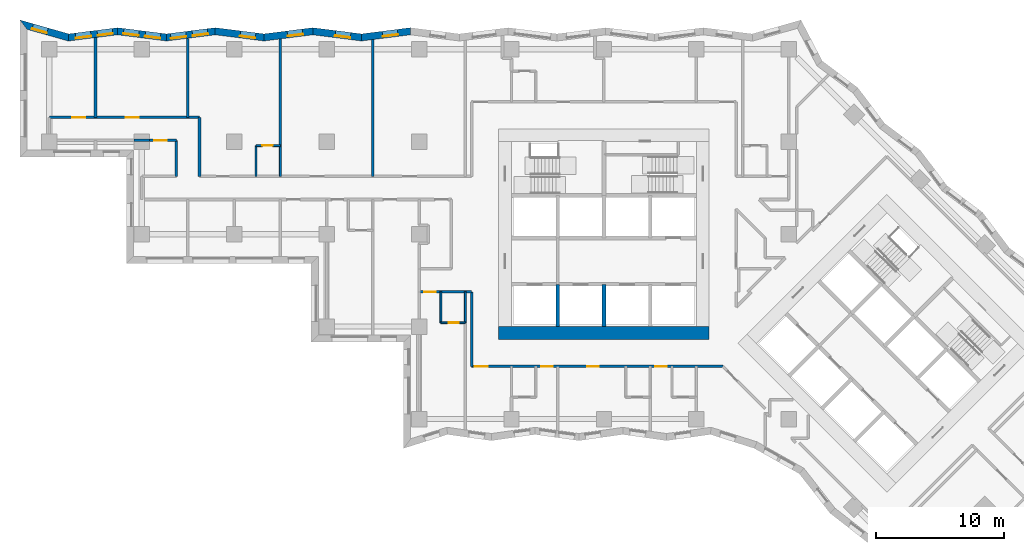
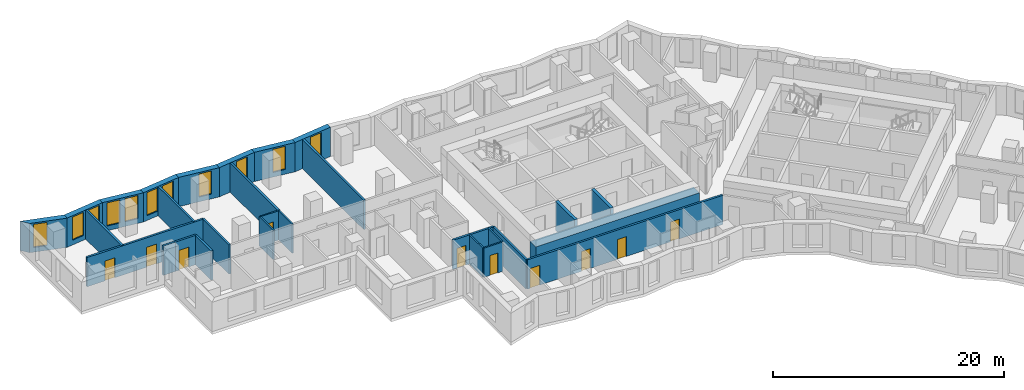
# One storey, part 4 of 12: 29 walls, 11 windows, 10 doors, 21 openings.
"""IFC4 building model written with IfcOpenShell, lengths in metres."""

import ifcopenshell
import ifcopenshell.guid

model = None  # the IFC model being written
_history = None  # IfcOwnerHistory: only IFC2X3 demands one
_inside = {}  # id of a spatial element -> (the spatial element, [elements in it])
_under = {}  # id of a project, library or spatial element -> (it, [spatial elements below it])
_declared = {}  # id of a project -> (the project, [libraries it declares])
_typed = {}  # id of a type object -> (the type object, [elements of that type])
_made_of = {}  # id of a material, layer set ... -> (it, [elements and type objects made of it])


def new_model(schema):
    """Start an empty IFC model of exactly this schema.

    Asked for "IFC4X3", IfcOpenShell would pick the latest addendum, in which some entities
    have other attributes; the version numbers below select the first issue.
    IFC2X3 requires an IfcOwnerHistory on every rooted entity: one is made here for all.
    """
    global model, _history
    if schema == "IFC4X3":
        model = ifcopenshell.file(schema_version=(4, 3, 0, 0))
    else:
        model = ifcopenshell.file(schema=schema)
    _inside.clear()
    _under.clear()
    _declared.clear()
    _typed.clear()
    _made_of.clear()
    _history = None
    if model.schema == "IFC2X3":
        org = make("IfcOrganization", Name="unknown")
        user = make(
            "IfcPersonAndOrganization",
            ThePerson=make("IfcPerson", FamilyName="unknown"),
            TheOrganization=org,
        )
        app = make(
            "IfcApplication",
            ApplicationDeveloper=org,
            Version="unknown",
            ApplicationFullName="unknown",
            ApplicationIdentifier="unknown",
        )
        _history = make(
            "IfcOwnerHistory",
            OwningUser=user,
            OwningApplication=app,
            ChangeAction="ADDED",
            CreationDate=0,
        )
    return model


def make(cls, **values):
    """One entity of the class cls with the attributes given. An attribute that is None is left unset."""
    return model.create_entity(
        cls, **{name: value for name, value in values.items() if value is not None}
    )


def rooted(cls, **values):
    """An entity with a GlobalId (a new one), such as an element, a storey or a relation."""
    return make(cls, GlobalId=ifcopenshell.guid.new(), OwnerHistory=_history, **values)


def si_unit(unit_type, name, prefix=None):
    """IfcSIUnit, for example si_unit("LENGTHUNIT", "METRE", prefix="MILLI")."""
    return make("IfcSIUnit", UnitType=unit_type, Prefix=prefix, Name=name)


def assignment(units):
    """IfcUnitAssignment: the units of a project."""
    return None if units is None else make("IfcUnitAssignment", Units=units)


def point(xyz):
    """IfcCartesianPoint."""
    return None if xyz is None else make("IfcCartesianPoint", Coordinates=xyz)


def direction(xyz):
    """IfcDirection."""
    return None if xyz is None else make("IfcDirection", DirectionRatios=xyz)


def frame(location, z_axis=None, x_axis=None):
    """IfcAxis2Placement3D, a coordinate frame: its origin and axes. An axis left out is left unset."""
    return make(
        "IfcAxis2Placement3D",
        Location=point(location),
        Axis=direction(z_axis),
        RefDirection=direction(x_axis),
    )


def frame_2d(location, x_axis=None):
    """IfcAxis2Placement2D, a coordinate frame in the plane: its origin and x axis."""
    return make(
        "IfcAxis2Placement2D", Location=point(location), RefDirection=direction(x_axis)
    )


def origin():
    """The frame at (0, 0, 0) with its axes left unset."""
    return frame((0.0, 0.0, 0.0))


def place(relative_to, where):
    """IfcLocalPlacement: puts the frame where relative to a parent placement (None: the world)."""
    return make(
        "IfcLocalPlacement", PlacementRelTo=relative_to, RelativePlacement=where
    )


def context(
    kind, dimensions, precision=None, world=None, true_north=None, identifier=None
):
    """IfcGeometricRepresentationContext, for example the 3D "Model" context."""
    return make(
        "IfcGeometricRepresentationContext",
        ContextIdentifier=identifier,
        ContextType=kind,
        CoordinateSpaceDimension=dimensions,
        Precision=precision,
        WorldCoordinateSystem=world,
        TrueNorth=true_north,
    )


def subcontext(parent, identifier, kind, view, scale=None):
    """IfcGeometricRepresentationSubContext, for example "Body" below "Model"."""
    return make(
        "IfcGeometricRepresentationSubContext",
        ContextIdentifier=identifier,
        ContextType=kind,
        ParentContext=parent,
        TargetScale=scale,
        TargetView=view,
    )


def project(units=None, contexts=None):
    """IfcProject with its units and contexts."""
    return rooted(
        "IfcProject",
        Name="project",
        RepresentationContexts=contexts,
        UnitsInContext=assignment(units),
    )


def spatial(cls, under=None, at=None, **own):
    """A site, building, storey or space (cls), placed at a placement, below another one or the project."""
    s = rooted(cls, ObjectPlacement=at, **own)
    if under is not None:
        _under.setdefault(under.id(), (under, []))[1].append(s)
    return s


def polyline(points):
    """IfcPolyline through the points."""
    return make("IfcPolyline", Points=[point(p) for p in points])


def profile(cls, at=None, kind="AREA", **sizes):
    """A parametric profile (cls). Its sizes go by their IFC names, for example OverallWidth=200.0."""
    return make(cls, ProfileType=kind, Position=at, **sizes)


def rectangle(**sizes):
    """IfcRectangleProfileDef."""
    return profile("IfcRectangleProfileDef", **sizes)


def outline(outer, holes=None, kind="AREA"):
    """IfcArbitraryClosedProfileDef: a profile drawn as a closed curve; with holes, ...WithVoids."""
    if holes is None:
        return make("IfcArbitraryClosedProfileDef", ProfileType=kind, OuterCurve=outer)
    return make(
        "IfcArbitraryProfileDefWithVoids",
        ProfileType=kind,
        OuterCurve=outer,
        InnerCurves=holes,
    )


def extrude(swept, where, along, depth):
    """IfcExtrudedAreaSolid: the profile swept, set in the frame where, extruded along a direction by depth."""
    return make(
        "IfcExtrudedAreaSolid",
        SweptArea=swept,
        Position=where,
        ExtrudedDirection=direction(along),
        Depth=depth,
    )


def shape(context_of_items, identifier, shape_type, items):
    """IfcShapeRepresentation: the items that make up one representation, for example the "Body"."""
    return make(
        "IfcShapeRepresentation",
        ContextOfItems=context_of_items,
        RepresentationIdentifier=identifier,
        RepresentationType=shape_type,
        Items=items,
    )


def material(Name=None, Category=None):
    """IfcMaterial."""
    return make("IfcMaterial", Name=Name, Category=Category)


def layer(
    of_material, thickness, ventilated=None, Name=None, Category=None, Priority=None
):
    """IfcMaterialLayer: one layer of a wall or slab, of a material (None: an air gap)."""
    return make(
        "IfcMaterialLayer",
        Material=of_material,
        LayerThickness=thickness,
        IsVentilated=ventilated,
        Name=Name,
        Category=Category,
        Priority=Priority,
    )


def layer_set(layers, Name=None):
    """IfcMaterialLayerSet."""
    return make("IfcMaterialLayerSet", MaterialLayers=layers, LayerSetName=Name)


def made_of(thing, what):
    """Note that an element or type object is made of a material, layer set ...; save() writes the relation."""
    if what is not None:
        _made_of.setdefault(what.id(), (what, []))[1].append(thing)
    return thing


def type_object(cls, material=None, **own):
    """A type object (cls), such as IfcWallType, which elements share."""
    return made_of(rooted(cls, **own), material)


def element(
    cls,
    number,
    at=None,
    inside=None,
    cuts=None,
    type_object=None,
    material=None,
    context=None,
    identifier="Body",
    shape_type=None,
    held_by="IfcProductDefinitionShape",
    body=None,
    shapes=None,
    **own,
):
    """One element of the class cls, such as IfcWall. Its Tag is "e" and its number.

    at: its placement. inside: the storey or other place that contains it. cuts: it is an
    opening in that element (IfcRelVoidsElement). A single representation is given by context,
    identifier, shape_type and body (its items); several are given by shapes. held_by: the class
    of the entity that holds the representations. save() writes the other relations.
    """
    e = rooted(cls, Tag="e%d" % number, ObjectPlacement=at, **own)
    if body is not None:
        shapes = [shape(context, identifier, shape_type, body)]
    if shapes is not None:
        e.Representation = make(held_by, Representations=shapes)
    if inside is not None:
        _inside.setdefault(inside.id(), (inside, []))[1].append(e)
    if cuts is not None:
        rooted(
            "IfcRelVoidsElement", RelatingBuildingElement=cuts, RelatedOpeningElement=e
        )
    if type_object is not None:
        _typed.setdefault(type_object.id(), (type_object, []))[1].append(e)
    return made_of(e, material)


def fill(opening, filler):
    """IfcRelFillsElement: the door or window that sits in an opening."""
    return rooted(
        "IfcRelFillsElement",
        RelatingOpeningElement=opening,
        RelatedBuildingElement=filler,
    )


def aggregate(whole, parts):
    """IfcRelAggregates: a whole, such as a stair, and the parts it consists of."""
    return rooted("IfcRelAggregates", RelatingObject=whole, RelatedObjects=parts)


def save(model, path):
    """Write the relations noted so far, then the file.

    IfcRelAggregates (storeys below a building ...), IfcRelContainedInSpatialStructure (elements
    in a storey), IfcRelDefinesByType, IfcRelAssociatesMaterial and IfcRelDeclares: one each for
    every whole, place, type object, material and project.
    """
    for whole, parts in _under.values():
        aggregate(whole, parts)
    for where, things in _inside.values():
        rooted(
            "IfcRelContainedInSpatialStructure",
            RelatedElements=things,
            RelatingStructure=where,
        )
    for kind, things in _typed.values():
        rooted("IfcRelDefinesByType", RelatedObjects=things, RelatingType=kind)
    for what, things in _made_of.values():
        rooted("IfcRelAssociatesMaterial", RelatedObjects=things, RelatingMaterial=what)
    for by, libraries in _declared.values():
        rooted("IfcRelDeclares", RelatingContext=by, RelatedDefinitions=libraries)
    model.write(path)


model = new_model("IFC4")

# Units and contexts
model_context = context("Model", 3, precision=1e-05, world=origin(), true_north=direction((0.0, 1.0)))
body_context = subcontext(model_context, "Body", "Model", "MODEL_VIEW")
ifc_project = project(units=[si_unit("LENGTHUNIT", "METRE"), si_unit("AREAUNIT", "SQUARE_METRE"), si_unit("VOLUMEUNIT", "CUBIC_METRE"), si_unit("PLANEANGLEUNIT", "RADIAN"), si_unit("MASSUNIT", "GRAM", prefix="KILO")], contexts=[model_context])

# Site, building, storey
site_placement = place(None, origin())
site = spatial("IfcSite", under=ifc_project, at=site_placement, CompositionType="ELEMENT")
building_placement = place(site_placement, origin())
building = spatial("IfcBuilding", under=site, at=building_placement, Name="Windrow Commons", CompositionType="ELEMENT")
storey_placement = place(building_placement, frame((0.0, 0.0, 47.4)))
storey = spatial("IfcBuildingStorey", under=building, at=storey_placement, Name="L12", CompositionType="ELEMENT", Elevation=47.4)

# Wall, opening, window
ifc_material_1 = material(Name="Brick masonry, red clay brick", Category="masonry")
ifc_layer_1 = layer(ifc_material_1, 0.55)
ifc_layer_set_1 = layer_set([ifc_layer_1], Name="Brick facade wall 550")
wall_type_1 = type_object("IfcWallType", Name="Brick facade wall 550", PredefinedType="SOLIDWALL", material=ifc_layer_set_1)
wall_1_placement = place(storey_placement, frame((49.7316, 73.4048, 0.0), z_axis=(0.0, 0.0, 1.0), x_axis=(-0.9920583495, -0.1257785003, 0.0)))
wall_1 = element("IfcWall", 1, at=wall_1_placement, inside=storey, type_object=wall_type_1, Name="Brick facade wall L12 31", PredefinedType="SOLIDWALL", context=body_context, shape_type="SweptSolid", body=[
    extrude(outline(polyline([(-0.0349, -0.275), (3.7973, -0.275), (3.867, 0.275), (0.0349, 0.275), (-0.0349, -0.275)])), origin(), (0.0, 0.0, 1.0), 3.1),
])
opening_1_placement = place(wall_1_placement, frame((0.995, 0.0, 0.5)))
opening_1 = element("IfcOpeningElement", 2, at=opening_1_placement, cuts=wall_1, Name="Opening W7D", PredefinedType="OPENING", context=body_context, shape_type="SweptSolid", body=[
    extrude(rectangle(XDim=1.2, YDim=2.45, at=frame_2d((0.6, 1.225))), frame((0.0, 0.285, 0.0), z_axis=(0.0, -1.0, 0.0), x_axis=(1.0, 0.0, 0.0)), (0.0, 0.0, 1.0), 0.57),
])
ifc_material_2 = material(Name="Clear float glass in anodised aluminium frame", Category="aluminium")
window_type = type_object("IfcWindowType", Name="Window W7 notch 1200x2450", PartitioningType="SINGLE_PANEL", PredefinedType="WINDOW", material=ifc_material_2)
window_1_placement = place(opening_1_placement, origin())
window_1 = element("IfcWindow", 3, at=window_1_placement, inside=storey, type_object=window_type, Name="Window L12 31.1", OverallHeight=2.45, OverallWidth=1.2, PartitioningType="SINGLE_PANEL", PredefinedType="WINDOW", context=body_context, shape_type="SweptSolid", body=[
    extrude(rectangle(XDim=1.2, YDim=2.45, at=frame_2d((0.6, 1.225))), frame((0.0, 0.155, 0.0), z_axis=(0.0, -1.0, 0.0), x_axis=(1.0, 0.0, 0.0)), (0.0, 0.0, 1.0), 0.06),
])
fill(opening_1, window_1)

wall_2_placement = place(storey_placement, frame((45.9299, 72.9228, 0.0), z_axis=(0.0, 0.0, 1.0), x_axis=(-0.9920583495, 0.1257785003, 0.0)))
wall_2 = element("IfcWall", 4, at=wall_2_placement, inside=storey, type_object=wall_type_1, Name="Brick facade wall L12 32", PredefinedType="SOLIDWALL", context=body_context, shape_type="SweptSolid", body=[
    extrude(outline(polyline([(0.0349, -0.275), (3.867, -0.275), (3.7973, 0.275), (-0.0349, 0.275), (0.0349, -0.275)])), origin(), (0.0, 0.0, 1.0), 3.1),
])
opening_2_placement = place(wall_2_placement, frame((0.8759, 0.0, 0.5)))
opening_2 = element("IfcOpeningElement", 5, at=opening_2_placement, cuts=wall_2, Name="Opening W7D", PredefinedType="OPENING", context=body_context, shape_type="SweptSolid", body=[
    extrude(rectangle(XDim=1.2, YDim=2.45, at=frame_2d((0.6, 1.225))), frame((0.0, 0.285, 0.0), z_axis=(0.0, -1.0, 0.0), x_axis=(1.0, 0.0, 0.0)), (0.0, 0.0, 1.0), 0.57),
])
window_2_placement = place(opening_2_placement, origin())
window_2 = element("IfcWindow", 6, at=window_2_placement, inside=storey, type_object=window_type, Name="Window L12 32.1", OverallHeight=2.45, OverallWidth=1.2, PartitioningType="SINGLE_PANEL", PredefinedType="WINDOW", context=body_context, shape_type="SweptSolid", body=[
    extrude(rectangle(XDim=1.2, YDim=2.45, at=frame_2d((0.6, 1.225))), frame((0.0, 0.155, 0.0), z_axis=(0.0, -1.0, 0.0), x_axis=(1.0, 0.0, 0.0)), (0.0, 0.0, 1.0), 0.06),
])
fill(opening_2, window_2)

wall_3_placement = place(storey_placement, frame((42.1282, 73.4048, 0.0), z_axis=(0.0, 0.0, 1.0), x_axis=(-0.9920583495, -0.1257785003, 0.0)))
wall_3 = element("IfcWall", 7, at=wall_3_placement, inside=storey, type_object=wall_type_1, Name="Brick facade wall L12 33", PredefinedType="SOLIDWALL", context=body_context, shape_type="SweptSolid", body=[
    extrude(outline(polyline([(-0.0349, -0.275), (3.7973, -0.275), (3.867, 0.275), (0.0349, 0.275), (-0.0349, -0.275)])), origin(), (0.0, 0.0, 1.0), 3.1),
])
opening_3_placement = place(wall_3_placement, frame((0.7917, 0.0, 0.5)))
opening_3 = element("IfcOpeningElement", 8, at=opening_3_placement, cuts=wall_3, Name="Opening W7D", PredefinedType="OPENING", context=body_context, shape_type="SweptSolid", body=[
    extrude(rectangle(XDim=1.2, YDim=2.45, at=frame_2d((0.6, 1.225))), frame((0.0, 0.285, 0.0), z_axis=(0.0, -1.0, 0.0), x_axis=(1.0, 0.0, 0.0)), (0.0, 0.0, 1.0), 0.57),
])
window_3_placement = place(opening_3_placement, origin())
window_3 = element("IfcWindow", 9, at=window_3_placement, inside=storey, type_object=window_type, Name="Window L12 33.1", OverallHeight=2.45, OverallWidth=1.2, PartitioningType="SINGLE_PANEL", PredefinedType="WINDOW", context=body_context, shape_type="SweptSolid", body=[
    extrude(rectangle(XDim=1.2, YDim=2.45, at=frame_2d((0.6, 1.225))), frame((0.0, 0.155, 0.0), z_axis=(0.0, -1.0, 0.0), x_axis=(1.0, 0.0, 0.0)), (0.0, 0.0, 1.0), 0.06),
])
fill(opening_3, window_3)

wall_4_placement = place(storey_placement, frame((38.3265, 72.9228, 0.0), z_axis=(0.0, 0.0, 1.0), x_axis=(-0.9920583495, 0.1257785003, 0.0)))
wall_4 = element("IfcWall", 10, at=wall_4_placement, inside=storey, type_object=wall_type_1, Name="Brick facade wall L12 34", PredefinedType="SOLIDWALL", context=body_context, shape_type="SweptSolid", body=[
    extrude(outline(polyline([(0.0349, -0.275), (3.867, -0.275), (3.7973, 0.275), (-0.0349, 0.275), (0.0349, -0.275)])), origin(), (0.0, 0.0, 1.0), 3.1),
])
opening_4_placement = place(wall_4_placement, frame((0.6726, 0.0, 0.5)))
opening_4 = element("IfcOpeningElement", 11, at=opening_4_placement, cuts=wall_4, Name="Opening W7D", PredefinedType="OPENING", context=body_context, shape_type="SweptSolid", body=[
    extrude(rectangle(XDim=1.2, YDim=2.45, at=frame_2d((0.6, 1.225))), frame((0.0, 0.285, 0.0), z_axis=(0.0, -1.0, 0.0), x_axis=(1.0, 0.0, 0.0)), (0.0, 0.0, 1.0), 0.57),
])
window_4_placement = place(opening_4_placement, origin())
window_4 = element("IfcWindow", 12, at=window_4_placement, inside=storey, type_object=window_type, Name="Window L12 34.1", OverallHeight=2.45, OverallWidth=1.2, PartitioningType="SINGLE_PANEL", PredefinedType="WINDOW", context=body_context, shape_type="SweptSolid", body=[
    extrude(rectangle(XDim=1.2, YDim=2.45, at=frame_2d((0.6, 1.225))), frame((0.0, 0.155, 0.0), z_axis=(0.0, -1.0, 0.0), x_axis=(1.0, 0.0, 0.0)), (0.0, 0.0, 1.0), 0.06),
])
fill(opening_4, window_4)

# Wall, openings, windows
wall_5_placement = place(storey_placement, frame((34.5248, 73.4048, 0.0), z_axis=(0.0, 0.0, 1.0), x_axis=(-0.9920583495, -0.1257785003, 0.0)))
wall_5 = element("IfcWall", 13, at=wall_5_placement, inside=storey, type_object=wall_type_1, Name="Brick facade wall L12 35", PredefinedType="SOLIDWALL", context=body_context, shape_type="SweptSolid", body=[
    extrude(outline(polyline([(-0.0349, -0.275), (3.7973, -0.275), (3.867, 0.275), (0.0349, 0.275), (-0.0349, -0.275)])), origin(), (0.0, 0.0, 1.0), 3.1),
])
opening_5_placement = place(wall_5_placement, frame((0.5883, 0.0, 0.5)))
opening_5 = element("IfcOpeningElement", 14, at=opening_5_placement, cuts=wall_5, Name="Opening W7D", PredefinedType="OPENING", context=body_context, shape_type="SweptSolid", body=[
    extrude(rectangle(XDim=1.2, YDim=2.45, at=frame_2d((0.6, 1.225))), frame((0.0, 0.285, 0.0), z_axis=(0.0, -1.0, 0.0), x_axis=(1.0, 0.0, 0.0)), (0.0, 0.0, 1.0), 0.57),
])
opening_6_placement = place(wall_5_placement, frame((2.287, 0.0, 0.5)))
opening_6 = element("IfcOpeningElement", 15, at=opening_6_placement, cuts=wall_5, Name="Opening W7D", PredefinedType="OPENING", context=body_context, shape_type="SweptSolid", body=[
    extrude(rectangle(XDim=1.2, YDim=2.45, at=frame_2d((0.6, 1.225))), frame((0.0, 0.285, 0.0), z_axis=(0.0, -1.0, 0.0), x_axis=(1.0, 0.0, 0.0)), (0.0, 0.0, 1.0), 0.57),
])
window_5_placement = place(opening_5_placement, origin())
window_5 = element("IfcWindow", 16, at=window_5_placement, inside=storey, type_object=window_type, Name="Window L12 35.1", OverallHeight=2.45, OverallWidth=1.2, PartitioningType="SINGLE_PANEL", PredefinedType="WINDOW", context=body_context, shape_type="SweptSolid", body=[
    extrude(rectangle(XDim=1.2, YDim=2.45, at=frame_2d((0.6, 1.225))), frame((0.0, 0.155, 0.0), z_axis=(0.0, -1.0, 0.0), x_axis=(1.0, 0.0, 0.0)), (0.0, 0.0, 1.0), 0.06),
])
fill(opening_5, window_5)
window_6_placement = place(opening_6_placement, origin())
window_6 = element("IfcWindow", 17, at=window_6_placement, inside=storey, type_object=window_type, Name="Window L12 35.2", OverallHeight=2.45, OverallWidth=1.2, PartitioningType="SINGLE_PANEL", PredefinedType="WINDOW", context=body_context, shape_type="SweptSolid", body=[
    extrude(rectangle(XDim=1.2, YDim=2.45, at=frame_2d((0.6, 1.225))), frame((0.0, 0.155, 0.0), z_axis=(0.0, -1.0, 0.0), x_axis=(1.0, 0.0, 0.0)), (0.0, 0.0, 1.0), 0.06),
])
fill(opening_6, window_6)

wall_6_placement = place(storey_placement, frame((30.7231, 72.9228, 0.0), z_axis=(0.0, 0.0, 1.0), x_axis=(-0.9920583495, 0.1257785003, 0.0)))
wall_6 = element("IfcWall", 18, at=wall_6_placement, inside=storey, type_object=wall_type_1, Name="Brick facade wall L12 36", PredefinedType="SOLIDWALL", context=body_context, shape_type="SweptSolid", body=[
    extrude(outline(polyline([(0.0349, -0.275), (3.867, -0.275), (3.7973, 0.275), (-0.0349, 0.275), (0.0349, -0.275)])), origin(), (0.0, 0.0, 1.0), 3.1),
])
opening_7_placement = place(wall_6_placement, frame((0.4693, 0.0, 0.5)))
opening_7 = element("IfcOpeningElement", 19, at=opening_7_placement, cuts=wall_6, Name="Opening W7D", PredefinedType="OPENING", context=body_context, shape_type="SweptSolid", body=[
    extrude(rectangle(XDim=1.2, YDim=2.45, at=frame_2d((0.6, 1.225))), frame((0.0, 0.285, 0.0), z_axis=(0.0, -1.0, 0.0), x_axis=(1.0, 0.0, 0.0)), (0.0, 0.0, 1.0), 0.57),
])
opening_8_placement = place(wall_6_placement, frame((2.1679, 0.0, 0.5)))
opening_8 = element("IfcOpeningElement", 20, at=opening_8_placement, cuts=wall_6, Name="Opening W7D", PredefinedType="OPENING", context=body_context, shape_type="SweptSolid", body=[
    extrude(rectangle(XDim=1.2, YDim=2.45, at=frame_2d((0.6, 1.225))), frame((0.0, 0.285, 0.0), z_axis=(0.0, -1.0, 0.0), x_axis=(1.0, 0.0, 0.0)), (0.0, 0.0, 1.0), 0.57),
])
window_7_placement = place(opening_7_placement, origin())
window_7 = element("IfcWindow", 21, at=window_7_placement, inside=storey, type_object=window_type, Name="Window L12 36.1", OverallHeight=2.45, OverallWidth=1.2, PartitioningType="SINGLE_PANEL", PredefinedType="WINDOW", context=body_context, shape_type="SweptSolid", body=[
    extrude(rectangle(XDim=1.2, YDim=2.45, at=frame_2d((0.6, 1.225))), frame((0.0, 0.155, 0.0), z_axis=(0.0, -1.0, 0.0), x_axis=(1.0, 0.0, 0.0)), (0.0, 0.0, 1.0), 0.06),
])
fill(opening_7, window_7)
window_8_placement = place(opening_8_placement, origin())
window_8 = element("IfcWindow", 22, at=window_8_placement, inside=storey, type_object=window_type, Name="Window L12 36.2", OverallHeight=2.45, OverallWidth=1.2, PartitioningType="SINGLE_PANEL", PredefinedType="WINDOW", context=body_context, shape_type="SweptSolid", body=[
    extrude(rectangle(XDim=1.2, YDim=2.45, at=frame_2d((0.6, 1.225))), frame((0.0, 0.155, 0.0), z_axis=(0.0, -1.0, 0.0), x_axis=(1.0, 0.0, 0.0)), (0.0, 0.0, 1.0), 0.06),
])
fill(opening_8, window_8)

wall_7_placement = place(storey_placement, frame((26.9214, 73.4048, 0.0), z_axis=(0.0, 0.0, 1.0), x_axis=(-0.9920579561, -0.1257816033, 0.0)))
wall_7 = element("IfcWall", 23, at=wall_7_placement, inside=storey, type_object=wall_type_1, Name="Brick facade wall L12 37", PredefinedType="SOLIDWALL", context=body_context, shape_type="SweptSolid", body=[
    extrude(outline(polyline([(-0.0349, -0.275), (3.7973, -0.275), (3.9097, 0.275), (0.0349, 0.275), (-0.0349, -0.275)])), origin(), (0.0, 0.0, 1.0), 3.1),
])
opening_9_placement = place(wall_7_placement, frame((0.385, 0.0, 0.5)))
opening_9 = element("IfcOpeningElement", 24, at=opening_9_placement, cuts=wall_7, Name="Opening W7D", PredefinedType="OPENING", context=body_context, shape_type="SweptSolid", body=[
    extrude(rectangle(XDim=1.2, YDim=2.45, at=frame_2d((0.6, 1.225))), frame((0.0, 0.285, 0.0), z_axis=(0.0, -1.0, 0.0), x_axis=(1.0, 0.0, 0.0)), (0.0, 0.0, 1.0), 0.57),
])
opening_10_placement = place(wall_7_placement, frame((2.0943, 0.0, 0.5)))
opening_10 = element("IfcOpeningElement", 25, at=opening_10_placement, cuts=wall_7, Name="Opening W7D", PredefinedType="OPENING", context=body_context, shape_type="SweptSolid", body=[
    extrude(rectangle(XDim=1.2, YDim=2.45, at=frame_2d((0.6, 1.225))), frame((0.0, 0.285, 0.0), z_axis=(0.0, -1.0, 0.0), x_axis=(1.0, 0.0, 0.0)), (0.0, 0.0, 1.0), 0.57),
])
window_9_placement = place(opening_9_placement, origin())
window_9 = element("IfcWindow", 26, at=window_9_placement, inside=storey, type_object=window_type, Name="Window L12 37.1", OverallHeight=2.45, OverallWidth=1.2, PartitioningType="SINGLE_PANEL", PredefinedType="WINDOW", context=body_context, shape_type="SweptSolid", body=[
    extrude(rectangle(XDim=1.2, YDim=2.45, at=frame_2d((0.6, 1.225))), frame((0.0, 0.155, 0.0), z_axis=(0.0, -1.0, 0.0), x_axis=(1.0, 0.0, 0.0)), (0.0, 0.0, 1.0), 0.06),
])
fill(opening_9, window_9)
window_10_placement = place(opening_10_placement, origin())
window_10 = element("IfcWindow", 27, at=window_10_placement, inside=storey, type_object=window_type, Name="Window L12 37.2", OverallHeight=2.45, OverallWidth=1.2, PartitioningType="SINGLE_PANEL", PredefinedType="WINDOW", context=body_context, shape_type="SweptSolid", body=[
    extrude(rectangle(XDim=1.2, YDim=2.45, at=frame_2d((0.6, 1.225))), frame((0.0, 0.155, 0.0), z_axis=(0.0, -1.0, 0.0), x_axis=(1.0, 0.0, 0.0)), (0.0, 0.0, 1.0), 0.06),
])
fill(opening_10, window_10)

# Wall, opening, window
wall_8_placement = place(storey_placement, frame((23.0985, 72.9201, 0.0), z_axis=(0.0, 0.0, 1.0), x_axis=(-0.9618040283, 0.2737389471, 0.0)))
wall_8 = element("IfcWall", 28, at=wall_8_placement, inside=storey, type_object=wall_type_1, Name="Brick facade wall L12 38", PredefinedType="SOLIDWALL", context=body_context, shape_type="SweptSolid", body=[
    extrude(outline(polyline([(0.0562, -0.275), (4.0089, -0.275), (3.2805, 0.275), (-0.0562, 0.275), (0.0562, -0.275)])), origin(), (0.0, 0.0, 1.0), 3.1),
])
opening_11_placement = place(wall_8_placement, frame((1.7193, 0.0, 0.5)))
opening_11 = element("IfcOpeningElement", 29, at=opening_11_placement, cuts=wall_8, Name="Opening W7D", PredefinedType="OPENING", context=body_context, shape_type="SweptSolid", body=[
    extrude(rectangle(XDim=1.2, YDim=2.45, at=frame_2d((0.6, 1.225))), frame((0.0, 0.285, 0.0), z_axis=(0.0, -1.0, 0.0), x_axis=(1.0, 0.0, 0.0)), (0.0, 0.0, 1.0), 0.57),
])
window_11_placement = place(opening_11_placement, origin())
window_11 = element("IfcWindow", 30, at=window_11_placement, inside=storey, type_object=window_type, Name="Window L12 38.1", OverallHeight=2.45, OverallWidth=1.2, PartitioningType="SINGLE_PANEL", PredefinedType="WINDOW", context=body_context, shape_type="SweptSolid", body=[
    extrude(rectangle(XDim=1.2, YDim=2.45, at=frame_2d((0.6, 1.225))), frame((0.0, 0.155, 0.0), z_axis=(0.0, -1.0, 0.0), x_axis=(1.0, 0.0, 0.0)), (0.0, 0.0, 1.0), 0.06),
])
fill(opening_11, window_11)

# Wall, openings, doors
ifc_material_3 = material(Name="Blockwork partition", Category="masonry")
ifc_layer_2 = layer(ifc_material_3, 0.2)
ifc_layer_set_2 = layer_set([ifc_layer_2], Name="IW-CORRIDOR-200")
wall_type_2 = type_object("IfcWallType", Name="IW-CORRIDOR-200", PredefinedType="PARTITIONING", material=ifc_layer_set_2)
wall_9_placement = place(storey_placement, frame((54.5, 47.3, 0.0), z_axis=(0.0, 0.0, 1.0), x_axis=(1.0, 0.0, 0.0)))
wall_9 = element("IfcWall", 31, at=wall_9_placement, inside=storey, type_object=wall_type_2, Name="W-L12-W004", PredefinedType="PARTITIONING", context=body_context, shape_type="SweptSolid", body=[
    extrude(rectangle(XDim=19.56, YDim=0.2, at=frame_2d((9.78, 0.0))), origin(), (0.0, 0.0, 1.0), 3.1),
])
opening_12_placement = place(wall_9_placement, frame((0.2302, 0.0, 0.0)))
opening_12 = element("IfcOpeningElement", 32, at=opening_12_placement, cuts=wall_9, Name="Opening D310F", PredefinedType="OPENING", context=body_context, shape_type="SweptSolid", body=[
    extrude(rectangle(XDim=1.0, YDim=2.1, at=frame_2d((0.5, 1.05))), frame((0.0, 0.11, 0.0), z_axis=(0.0, -1.0, 0.0), x_axis=(1.0, 0.0, 0.0)), (0.0, 0.0, 1.0), 0.22),
])
opening_13_placement = place(wall_9_placement, frame((5.4, 0.0, 0.0)))
opening_13 = element("IfcOpeningElement", 33, at=opening_13_placement, cuts=wall_9, Name="Opening D109S", PredefinedType="OPENING", context=body_context, shape_type="SweptSolid", body=[
    extrude(rectangle(XDim=0.9, YDim=2.1, at=frame_2d((0.45, 1.05))), frame((0.0, 0.11, 0.0), z_axis=(0.0, -1.0, 0.0), x_axis=(1.0, 0.0, 0.0)), (0.0, 0.0, 1.0), 0.22),
])
opening_14_placement = place(wall_9_placement, frame((9.0006, 0.0, 0.0)))
opening_14 = element("IfcOpeningElement", 34, at=opening_14_placement, cuts=wall_9, Name="Opening D109F", PredefinedType="OPENING", context=body_context, shape_type="SweptSolid", body=[
    extrude(rectangle(XDim=0.9, YDim=2.1, at=frame_2d((0.45, 1.05))), frame((0.0, 0.11, 0.0), z_axis=(0.0, -1.0, 0.0), x_axis=(1.0, 0.0, 0.0)), (0.0, 0.0, 1.0), 0.22),
])
opening_15_placement = place(wall_9_placement, frame((14.3, 0.0, 0.0)))
opening_15 = element("IfcOpeningElement", 35, at=opening_15_placement, cuts=wall_9, Name="Opening D109S", PredefinedType="OPENING", context=body_context, shape_type="SweptSolid", body=[
    extrude(rectangle(XDim=0.9, YDim=2.1, at=frame_2d((0.45, 1.05))), frame((0.0, 0.11, 0.0), z_axis=(0.0, -1.0, 0.0), x_axis=(1.0, 0.0, 0.0)), (0.0, 0.0, 1.0), 0.22),
])
ifc_material_4 = material(Name="Timber door leaf", Category="wood")
door_type_1 = type_object("IfcDoorType", Name="DT-AMENITY-1000", OperationType="SINGLE_SWING_LEFT", PredefinedType="DOOR", material=ifc_material_4)
door_1_placement = place(opening_12_placement, origin())
door_1 = element("IfcDoor", 36, at=door_1_placement, inside=storey, type_object=door_type_1, Name="D-L12-D021", OperationType="SINGLE_SWING_RIGHT", OverallHeight=2.1, OverallWidth=1.0, PredefinedType="DOOR", context=body_context, shape_type="SweptSolid", body=[
    extrude(rectangle(XDim=1.0, YDim=2.1, at=frame_2d((0.5, 1.05))), frame((0.0, 0.025, 0.0), z_axis=(0.0, -1.0, 0.0), x_axis=(1.0, 0.0, 0.0)), (0.0, 0.0, 1.0), 0.05),
])
fill(opening_12, door_1)
ifc_material_5 = material(Name="Timber door leaf", Category="wood")
door_type_2 = type_object("IfcDoorType", Name="DT-BEDROOM-900", OperationType="SINGLE_SWING_LEFT", PredefinedType="DOOR", material=ifc_material_5)
door_2_placement = place(opening_13_placement, origin())
door_2 = element("IfcDoor", 37, at=door_2_placement, inside=storey, type_object=door_type_2, Name="D-L12-D025", OperationType="SINGLE_SWING_LEFT", OverallHeight=2.1, OverallWidth=0.9, PredefinedType="DOOR", context=body_context, shape_type="SweptSolid", body=[
    extrude(rectangle(XDim=0.9, YDim=2.1, at=frame_2d((0.45, 1.05))), frame((0.0, 0.025, 0.0), z_axis=(0.0, -1.0, 0.0), x_axis=(1.0, 0.0, 0.0)), (0.0, 0.0, 1.0), 0.05),
])
fill(opening_13, door_2)
door_3_placement = place(opening_14_placement, origin())
door_3 = element("IfcDoor", 38, at=door_3_placement, inside=storey, type_object=door_type_2, Name="D-L12-D027", OperationType="SINGLE_SWING_RIGHT", OverallHeight=2.1, OverallWidth=0.9, PredefinedType="DOOR", context=body_context, shape_type="SweptSolid", body=[
    extrude(rectangle(XDim=0.9, YDim=2.1, at=frame_2d((0.45, 1.05))), frame((0.0, 0.025, 0.0), z_axis=(0.0, -1.0, 0.0), x_axis=(1.0, 0.0, 0.0)), (0.0, 0.0, 1.0), 0.05),
])
fill(opening_14, door_3)
door_4_placement = place(opening_15_placement, origin())
door_4 = element("IfcDoor", 39, at=door_4_placement, inside=storey, type_object=door_type_2, Name="D-L12-D029", OperationType="SINGLE_SWING_RIGHT", OverallHeight=2.1, OverallWidth=0.9, PredefinedType="DOOR", context=body_context, shape_type="SweptSolid", body=[
    extrude(rectangle(XDim=0.9, YDim=2.1, at=frame_2d((0.45, 1.05))), frame((0.0, 0.025, 0.0), z_axis=(0.0, -1.0, 0.0), x_axis=(1.0, 0.0, 0.0)), (0.0, 0.0, 1.0), 0.05),
])
fill(opening_15, door_4)

wall_10_placement = place(storey_placement, frame((21.602, 66.7, 0.0), z_axis=(0.0, 0.0, 1.0), x_axis=(1.0, 0.0, 0.0)))
wall_10 = element("IfcWall", 40, at=wall_10_placement, inside=storey, type_object=wall_type_2, Name="W-L12-W006", PredefinedType="PARTITIONING", context=body_context, shape_type="SweptSolid", body=[
    extrude(rectangle(XDim=11.698, YDim=0.2, at=frame_2d((5.849, 0.0))), origin(), (0.0, 0.0, 1.0), 3.1),
])
opening_16_placement = place(wall_10_placement, frame((1.7901, 0.0, 0.0)))
opening_16 = element("IfcOpeningElement", 41, at=opening_16_placement, cuts=wall_10, Name="Opening D310F", PredefinedType="OPENING", context=body_context, shape_type="SweptSolid", body=[
    extrude(rectangle(XDim=1.0, YDim=2.1, at=frame_2d((0.5, 1.05))), frame((0.0, 0.11, 0.0), z_axis=(0.0, -1.0, 0.0), x_axis=(1.0, 0.0, 0.0)), (0.0, 0.0, 1.0), 0.22),
])
opening_17_placement = place(wall_10_placement, frame((5.9717, 0.0, 0.0)))
opening_17 = element("IfcOpeningElement", 42, at=opening_17_placement, cuts=wall_10, Name="Opening D310F", PredefinedType="OPENING", context=body_context, shape_type="SweptSolid", body=[
    extrude(rectangle(XDim=1.0, YDim=2.1, at=frame_2d((0.5, 1.05))), frame((0.0, 0.11, 0.0), z_axis=(0.0, -1.0, 0.0), x_axis=(1.0, 0.0, 0.0)), (0.0, 0.0, 1.0), 0.22),
])
door_5_placement = place(opening_16_placement, origin())
door_5 = element("IfcDoor", 43, at=door_5_placement, inside=storey, type_object=door_type_1, Name="D-L12-D001", OperationType="SINGLE_SWING_RIGHT", OverallHeight=2.1, OverallWidth=1.0, PredefinedType="DOOR", context=body_context, shape_type="SweptSolid", body=[
    extrude(rectangle(XDim=1.0, YDim=2.1, at=frame_2d((0.5, 1.05))), frame((0.0, 0.025, 0.0), z_axis=(0.0, -1.0, 0.0), x_axis=(1.0, 0.0, 0.0)), (0.0, 0.0, 1.0), 0.05),
])
fill(opening_16, door_5)
door_6_placement = place(opening_17_placement, origin())
door_6 = element("IfcDoor", 44, at=door_6_placement, inside=storey, type_object=door_type_1, Name="D-L12-D002", OperationType="SINGLE_SWING_LEFT", OverallHeight=2.1, OverallWidth=1.0, PredefinedType="DOOR", context=body_context, shape_type="SweptSolid", body=[
    extrude(rectangle(XDim=1.0, YDim=2.1, at=frame_2d((0.5, 1.05))), frame((0.0, 0.025, 0.0), z_axis=(0.0, -1.0, 0.0), x_axis=(1.0, 0.0, 0.0)), (0.0, 0.0, 1.0), 0.05),
])
fill(opening_17, door_6)

# Walls
wall_11_placement = place(storey_placement, frame((54.5, 47.3, 0.0), z_axis=(0.0, 0.0, 1.0), x_axis=(0.0, 1.0, 0.0)))
element("IfcWall", 45, at=wall_11_placement, inside=storey, type_object=wall_type_2, Name="W-L12-W032", PredefinedType="PARTITIONING", context=body_context, shape_type="SweptSolid", body=[
    extrude(rectangle(XDim=5.8, YDim=0.2, at=frame_2d((2.9, 0.0))), origin(), (0.0, 0.0, 1.0), 3.1),
])
wall_12_placement = place(storey_placement, frame((33.3, 62.102, 0.0), z_axis=(0.0, 0.0, 1.0), x_axis=(0.0, 1.0, 0.0)))
element("IfcWall", 46, at=wall_12_placement, inside=storey, type_object=wall_type_2, Name="W-L12-W044", PredefinedType="PARTITIONING", context=body_context, shape_type="SweptSolid", body=[
    extrude(rectangle(XDim=4.598, YDim=0.2, at=frame_2d((2.299, 0.0))), origin(), (0.0, 0.0, 1.0), 3.1),
])

# Wall, opening, door
wall_13_placement = place(storey_placement, frame((50.4, 53.1, 0.0), z_axis=(0.0, 0.0, 1.0), x_axis=(1.0, 0.0, 0.0)))
wall_13 = element("IfcWall", 47, at=wall_13_placement, inside=storey, type_object=wall_type_2, Name="W-L12-W048", PredefinedType="PARTITIONING", context=body_context, shape_type="SweptSolid", body=[
    extrude(rectangle(XDim=4.1, YDim=0.2, at=frame_2d((2.05, 0.0))), origin(), (0.0, 0.0, 1.0), 3.1),
])
opening_18_placement = place(wall_13_placement, frame((0.4, 0.0, 0.0)))
opening_18 = element("IfcOpeningElement", 48, at=opening_18_placement, cuts=wall_13, Name="Opening D109S", PredefinedType="OPENING", context=body_context, shape_type="SweptSolid", body=[
    extrude(rectangle(XDim=0.9, YDim=2.1, at=frame_2d((0.45, 1.05))), frame((0.0, 0.11, 0.0), z_axis=(0.0, -1.0, 0.0), x_axis=(1.0, 0.0, 0.0)), (0.0, 0.0, 1.0), 0.22),
])
door_7_placement = place(opening_18_placement, origin())
door_7 = element("IfcDoor", 49, at=door_7_placement, inside=storey, type_object=door_type_2, Name="D-L12-D019", OperationType="SINGLE_SWING_LEFT", OverallHeight=2.1, OverallWidth=0.9, PredefinedType="DOOR", context=body_context, shape_type="SweptSolid", body=[
    extrude(rectangle(XDim=0.9, YDim=2.1, at=frame_2d((0.45, 1.05))), frame((0.0, 0.025, 0.0), z_axis=(0.0, -1.0, 0.0), x_axis=(1.0, 0.0, 0.0)), (0.0, 0.0, 1.0), 0.05),
])
fill(opening_18, door_7)

# Wall
wall_14_placement = place(storey_placement, frame((31.5, 62.102, 0.0), z_axis=(0.0, 0.0, 1.0), x_axis=(0.0, 1.0, 0.0)))
element("IfcWall", 50, at=wall_14_placement, inside=storey, type_object=wall_type_2, Name="W-L12-W056", PredefinedType="PARTITIONING", context=body_context, shape_type="SweptSolid", body=[
    extrude(rectangle(XDim=2.796, YDim=0.2, at=frame_2d((1.398, 0.0))), origin(), (0.0, 0.0, 1.0), 3.1),
])

# Wall, opening, door
wall_15_placement = place(storey_placement, frame((29.4, 64.9, 0.0), z_axis=(0.0, 0.0, 1.0), x_axis=(1.0, 0.0, 0.0)))
wall_15 = element("IfcWall", 51, at=wall_15_placement, inside=storey, type_object=wall_type_2, Name="W-L12-W099", PredefinedType="PARTITIONING", context=body_context, shape_type="SweptSolid", body=[
    extrude(rectangle(XDim=2.1, YDim=0.2, at=frame_2d((1.05, 0.0))), origin(), (0.0, 0.0, 1.0), 3.1),
])
opening_19_placement = place(wall_15_placement, frame((0.3604, 0.0, 0.0)))
opening_19 = element("IfcOpeningElement", 52, at=opening_19_placement, cuts=wall_15, Name="Opening D310F", PredefinedType="OPENING", context=body_context, shape_type="SweptSolid", body=[
    extrude(rectangle(XDim=1.0, YDim=2.1, at=frame_2d((0.5, 1.05))), frame((0.0, 0.11, 0.0), z_axis=(0.0, -1.0, 0.0), x_axis=(1.0, 0.0, 0.0)), (0.0, 0.0, 1.0), 0.22),
])
door_8_placement = place(opening_19_placement, origin())
door_8 = element("IfcDoor", 53, at=door_8_placement, inside=storey, type_object=door_type_1, Name="D-L12-D003", OperationType="SINGLE_SWING_RIGHT", OverallHeight=2.1, OverallWidth=1.0, PredefinedType="DOOR", context=body_context, shape_type="SweptSolid", body=[
    extrude(rectangle(XDim=1.0, YDim=2.1, at=frame_2d((0.5, 1.05))), frame((0.0, 0.025, 0.0), z_axis=(0.0, -1.0, 0.0), x_axis=(1.0, 0.0, 0.0)), (0.0, 0.0, 1.0), 0.05),
])
fill(opening_19, door_8)

# Walls
wall_16_placement = place(storey_placement, frame((28.2, 64.9, 0.0), z_axis=(0.0, 0.0, 1.0), x_axis=(1.0, 0.0, 0.0)))
element("IfcWall", 54, at=wall_16_placement, inside=storey, type_object=wall_type_2, Name="W-L12-W159", PredefinedType="PARTITIONING", context=body_context, shape_type="SweptSolid", body=[
    extrude(rectangle(XDim=1.2, YDim=0.2, at=frame_2d((0.6, 0.0))), origin(), (0.0, 0.0, 1.0), 3.1),
])
ifc_material_6 = material(Name="Blockwork partition", Category="masonry")
ifc_layer_3 = layer(ifc_material_6, 0.15)
ifc_layer_set_3 = layer_set([ifc_layer_3], Name="IW-ENSUITE-150")
wall_type_3 = type_object("IfcWallType", Name="IW-ENSUITE-150", PredefinedType="PARTITIONING", material=ifc_layer_set_3)
for number, where, z_axis, x_axis, name in (
    (55, (37.7, 62.1, 0.0), (0.0, 0.0, 1.0), (0.0, 1.0, 0.0), "W-L12-W068"),
    (56, (39.6, 62.1, 0.0), (0.0, 0.0, 1.0), (0.0, 1.0, 0.0), "W-L12-W069"),
    (57, (52.1, 50.7, 0.0), (0.0, 0.0, 1.0), (0.0, 1.0, 0.0), "W-L12-W072"),
    (58, (54.0, 50.7, 0.0), (0.0, 0.0, 1.0), (0.0, 1.0, 0.0), "W-L12-W073"),
):
    element("IfcWall", number, at=place(storey_placement, frame(where, z_axis=z_axis, x_axis=x_axis)), inside=storey, type_object=wall_type_3, Name=name, PredefinedType="PARTITIONING", context=body_context, shape_type="SweptSolid", body=[
        extrude(rectangle(XDim=2.4, YDim=0.15, at=frame_2d((1.2, 0.0))), origin(), (0.0, 0.0, 1.0), 3.1),
    ])

# Wall, opening, door
wall_17_placement = place(storey_placement, frame((37.7, 64.5, 0.0), z_axis=(0.0, 0.0, 1.0), x_axis=(1.0, 0.0, 0.0)))
wall_17 = element("IfcWall", 59, at=wall_17_placement, inside=storey, type_object=wall_type_3, Name="W-L12-W111", PredefinedType="PARTITIONING", context=body_context, shape_type="SweptSolid", body=[
    extrude(rectangle(XDim=1.9, YDim=0.15, at=frame_2d((0.95, 0.0))), origin(), (0.0, 0.0, 1.0), 3.1),
])
opening_20_placement = place(wall_17_placement, frame((0.4931, 0.0, 0.0)))
opening_20 = element("IfcOpeningElement", 60, at=opening_20_placement, cuts=wall_17, Name="Opening D208N", PredefinedType="OPENING", context=body_context, shape_type="SweptSolid", body=[
    extrude(rectangle(XDim=0.8, YDim=2.1, at=frame_2d((0.4, 1.05))), frame((0.0, 0.085, 0.0), z_axis=(0.0, -1.0, 0.0), x_axis=(1.0, 0.0, 0.0)), (0.0, 0.0, 1.0), 0.17),
])
ifc_material_7 = material(Name="Timber door leaf", Category="wood")
door_type_3 = type_object("IfcDoorType", Name="DT-ENSUITE-800", OperationType="SINGLE_SWING_LEFT", PredefinedType="DOOR", material=ifc_material_7)
door_9_placement = place(opening_20_placement, origin())
door_9 = element("IfcDoor", 61, at=door_9_placement, inside=storey, type_object=door_type_3, Name="D-L12-D007", OperationType="SINGLE_SWING_RIGHT", OverallHeight=2.1, OverallWidth=0.8, PredefinedType="DOOR", context=body_context, shape_type="SweptSolid", body=[
    extrude(rectangle(XDim=0.8, YDim=2.1, at=frame_2d((0.4, 1.05))), frame((0.0, 0.025, 0.0), z_axis=(0.0, -1.0, 0.0), x_axis=(1.0, 0.0, 0.0)), (0.0, 0.0, 1.0), 0.05),
])
fill(opening_20, door_9)

wall_18_placement = place(storey_placement, frame((52.1, 50.7, 0.0), z_axis=(0.0, 0.0, 1.0), x_axis=(1.0, 0.0, 0.0)))
wall_18 = element("IfcWall", 62, at=wall_18_placement, inside=storey, type_object=wall_type_3, Name="W-L12-W113", PredefinedType="PARTITIONING", context=body_context, shape_type="SweptSolid", body=[
    extrude(rectangle(XDim=1.9, YDim=0.15, at=frame_2d((0.95, 0.0))), origin(), (0.0, 0.0, 1.0), 3.1),
])
opening_21_placement = place(wall_18_placement, frame((0.5979, 0.0, 0.0)))
opening_21 = element("IfcOpeningElement", 63, at=opening_21_placement, cuts=wall_18, Name="Opening D208N", PredefinedType="OPENING", context=body_context, shape_type="SweptSolid", body=[
    extrude(rectangle(XDim=0.8, YDim=2.1, at=frame_2d((0.4, 1.05))), frame((0.0, 0.085, 0.0), z_axis=(0.0, -1.0, 0.0), x_axis=(1.0, 0.0, 0.0)), (0.0, 0.0, 1.0), 0.17),
])
door_10_placement = place(opening_21_placement, origin())
door_10 = element("IfcDoor", 64, at=door_10_placement, inside=storey, type_object=door_type_3, Name="D-L12-D020", OperationType="SINGLE_SWING_RIGHT", OverallHeight=2.1, OverallWidth=0.8, PredefinedType="DOOR", context=body_context, shape_type="SweptSolid", body=[
    extrude(rectangle(XDim=0.8, YDim=2.1, at=frame_2d((0.4, 1.05))), frame((0.0, 0.025, 0.0), z_axis=(0.0, -1.0, 0.0), x_axis=(1.0, 0.0, 0.0)), (0.0, 0.0, 1.0), 0.05),
])
fill(opening_21, door_10)

# Walls
ifc_material_8 = material(Name="Blockwork partition", Category="masonry")
ifc_layer_4 = layer(ifc_material_8, 0.2)
ifc_layer_set_4 = layer_set([ifc_layer_4], Name="IW-PARTY-200")
wall_type_4 = type_object("IfcWallType", Name="IW-PARTY-200", PredefinedType="PARTITIONING", material=ifc_layer_set_4)
wall_19_placement = place(storey_placement, frame((46.8, 62.1, 0.0), z_axis=(0.0, 0.0, 1.0), x_axis=(0.0, 1.0, 0.0)))
element("IfcWall", 65, at=wall_19_placement, inside=storey, type_object=wall_type_4, Name="W-L12-W009", PredefinedType="PARTITIONING", context=body_context, shape_type="SweptSolid", body=[
    extrude(rectangle(XDim=10.6559, YDim=0.2, at=frame_2d((5.328, 0.0))), origin(), (0.0, 0.0, 1.0), 3.1),
])
wall_20_placement = place(storey_placement, frame((39.6, 64.5, 0.0), z_axis=(0.0, 0.0, 1.0), x_axis=(0.0, 1.0, 0.0)))
element("IfcWall", 66, at=wall_20_placement, inside=storey, type_object=wall_type_4, Name="W-L12-W017", PredefinedType="PARTITIONING", context=body_context, shape_type="SweptSolid", body=[
    extrude(rectangle(XDim=8.3071, YDim=0.2, at=frame_2d((4.1536, 0.0))), origin(), (0.0, 0.0, 1.0), 3.1),
])
wall_21_placement = place(storey_placement, frame((25.2, 66.7, 0.0), z_axis=(0.0, 0.0, 1.0), x_axis=(0.0, 1.0, 0.0)))
element("IfcWall", 67, at=wall_21_placement, inside=storey, type_object=wall_type_4, Name="W-L12-W026", PredefinedType="PARTITIONING", context=body_context, shape_type="SweptSolid", body=[
    extrude(rectangle(XDim=6.2093, YDim=0.2, at=frame_2d((3.1046, 0.0))), origin(), (0.0, 0.0, 1.0), 3.1),
])
wall_22_placement = place(storey_placement, frame((32.4, 66.7, 0.0), z_axis=(0.0, 0.0, 1.0), x_axis=(0.0, 1.0, 0.0)))
element("IfcWall", 68, at=wall_22_placement, inside=storey, type_object=wall_type_4, Name="W-L12-W027", PredefinedType="PARTITIONING", context=body_context, shape_type="SweptSolid", body=[
    extrude(rectangle(XDim=6.1582, YDim=0.2, at=frame_2d((3.0791, 0.0))), origin(), (0.0, 0.0, 1.0), 3.1),
])
ifc_material_9 = material(Name="Concrete C60/75", Category="concrete")
ifc_layer_5 = layer(ifc_material_9, 1.0)
ifc_layer_set_5 = layer_set([ifc_layer_5], Name="RC CORE WALL 1000 C60/75")
wall_type_5 = type_object("IfcWallType", Name="RC CORE WALL 1000 C60/75", PredefinedType="SHEAR", material=ifc_layer_set_5)
wall_23_placement = place(storey_placement, frame((56.6, 49.9, -0.3), z_axis=(0.0, 0.0, 1.0), x_axis=(1.0, 0.0, 0.0)))
element("IfcWall", 69, at=wall_23_placement, inside=storey, type_object=wall_type_5, Name="Core A wall outer-S", PredefinedType="SHEAR", context=body_context, shape_type="SweptSolid", body=[
    extrude(rectangle(XDim=16.4, YDim=1.0, at=frame_2d((8.2, 0.0))), origin(), (0.0, 0.0, 1.0), 2.7),
])
ifc_material_10 = material(Name="Concrete C60/75", Category="concrete")
ifc_layer_6 = layer(ifc_material_10, 0.3)
ifc_layer_set_6 = layer_set([ifc_layer_6], Name="RC SHAFT WALL 300 C60/75")
wall_type_6 = type_object("IfcWallType", Name="RC SHAFT WALL 300 C60/75", PredefinedType="SOLIDWALL", material=ifc_layer_set_6)
for number, where, z_axis, x_axis, name in (
    (70, (61.2, 50.4, 0.0), (0.0, 0.0, 1.0), (0.0, 1.0, 0.0), "Core A wall shaft-S1"),
    (71, (64.8, 50.4, 0.0), (0.0, 0.0, 1.0), (0.0, 1.0, 0.0), "Core A wall shaft-S2"),
):
    element("IfcWall", number, at=place(storey_placement, frame(where, z_axis=z_axis, x_axis=x_axis)), inside=storey, type_object=wall_type_6, Name=name, PredefinedType="SOLIDWALL", context=body_context, shape_type="SweptSolid", body=[
        extrude(rectangle(XDim=3.3, YDim=0.3, at=frame_2d((1.65, 0.0))), origin(), (0.0, 0.0, 1.0), 3.1),
    ])

save(model, "model.ifc")
